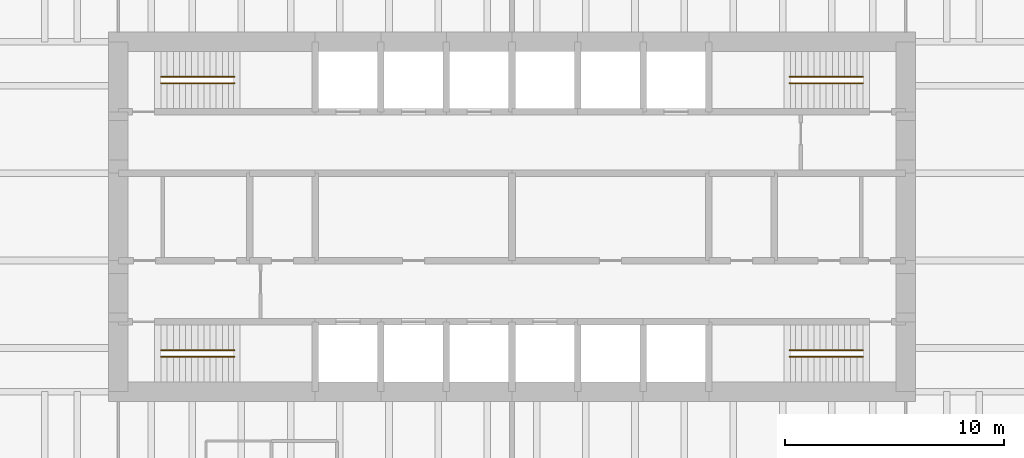
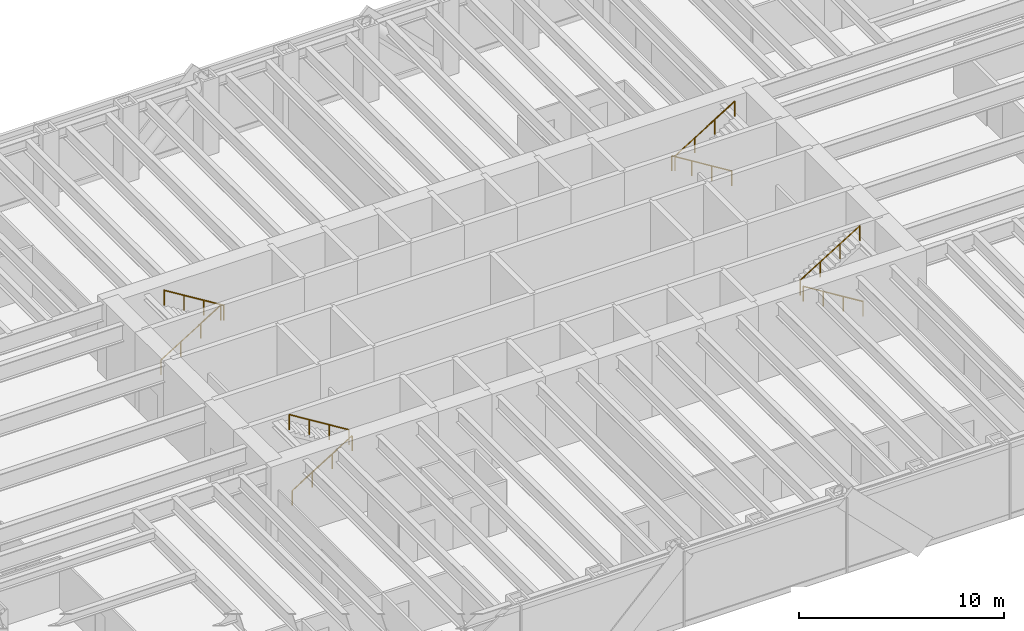
# One storey, part 13 of 13: 8 railings.
"""IFC4 building model written with IfcOpenShell, lengths in metres."""

import ifcopenshell
import ifcopenshell.guid

model = None  # the IFC model being written
_history = None  # IfcOwnerHistory: only IFC2X3 demands one
_inside = {}  # id of a spatial element -> (the spatial element, [elements in it])
_under = {}  # id of a project, library or spatial element -> (it, [spatial elements below it])
_declared = {}  # id of a project -> (the project, [libraries it declares])
_typed = {}  # id of a type object -> (the type object, [elements of that type])
_made_of = {}  # id of a material, layer set ... -> (it, [elements and type objects made of it])


def new_model(schema):
    """Start an empty IFC model of exactly this schema.

    Asked for "IFC4X3", IfcOpenShell would pick the latest addendum, in which some entities
    have other attributes; the version numbers below select the first issue.
    IFC2X3 requires an IfcOwnerHistory on every rooted entity: one is made here for all.
    """
    global model, _history
    if schema == "IFC4X3":
        model = ifcopenshell.file(schema_version=(4, 3, 0, 0))
    else:
        model = ifcopenshell.file(schema=schema)
    _inside.clear()
    _under.clear()
    _declared.clear()
    _typed.clear()
    _made_of.clear()
    _history = None
    if model.schema == "IFC2X3":
        org = make("IfcOrganization", Name="unknown")
        user = make(
            "IfcPersonAndOrganization",
            ThePerson=make("IfcPerson", FamilyName="unknown"),
            TheOrganization=org,
        )
        app = make(
            "IfcApplication",
            ApplicationDeveloper=org,
            Version="unknown",
            ApplicationFullName="unknown",
            ApplicationIdentifier="unknown",
        )
        _history = make(
            "IfcOwnerHistory",
            OwningUser=user,
            OwningApplication=app,
            ChangeAction="ADDED",
            CreationDate=0,
        )
    return model


def make(cls, **values):
    """One entity of the class cls with the attributes given. An attribute that is None is left unset."""
    return model.create_entity(
        cls, **{name: value for name, value in values.items() if value is not None}
    )


def rooted(cls, **values):
    """An entity with a GlobalId (a new one), such as an element, a storey or a relation."""
    return make(cls, GlobalId=ifcopenshell.guid.new(), OwnerHistory=_history, **values)


def si_unit(unit_type, name, prefix=None):
    """IfcSIUnit, for example si_unit("LENGTHUNIT", "METRE", prefix="MILLI")."""
    return make("IfcSIUnit", UnitType=unit_type, Prefix=prefix, Name=name)


def assignment(units):
    """IfcUnitAssignment: the units of a project."""
    return None if units is None else make("IfcUnitAssignment", Units=units)


def point(xyz):
    """IfcCartesianPoint."""
    return None if xyz is None else make("IfcCartesianPoint", Coordinates=xyz)


def direction(xyz):
    """IfcDirection."""
    return None if xyz is None else make("IfcDirection", DirectionRatios=xyz)


def frame(location, z_axis=None, x_axis=None):
    """IfcAxis2Placement3D, a coordinate frame: its origin and axes. An axis left out is left unset."""
    return make(
        "IfcAxis2Placement3D",
        Location=point(location),
        Axis=direction(z_axis),
        RefDirection=direction(x_axis),
    )


def frame_2d(location, x_axis=None):
    """IfcAxis2Placement2D, a coordinate frame in the plane: its origin and x axis."""
    return make(
        "IfcAxis2Placement2D", Location=point(location), RefDirection=direction(x_axis)
    )


def origin():
    """The frame at (0, 0, 0) with its axes left unset."""
    return frame((0.0, 0.0, 0.0))


def origin_2d():
    """The frame at (0, 0) in the plane with its x axis left unset."""
    return frame_2d((0.0, 0.0))


def place(relative_to, where):
    """IfcLocalPlacement: puts the frame where relative to a parent placement (None: the world)."""
    return make(
        "IfcLocalPlacement", PlacementRelTo=relative_to, RelativePlacement=where
    )


def context(
    kind, dimensions, precision=None, world=None, true_north=None, identifier=None
):
    """IfcGeometricRepresentationContext, for example the 3D "Model" context."""
    return make(
        "IfcGeometricRepresentationContext",
        ContextIdentifier=identifier,
        ContextType=kind,
        CoordinateSpaceDimension=dimensions,
        Precision=precision,
        WorldCoordinateSystem=world,
        TrueNorth=true_north,
    )


def subcontext(parent, identifier, kind, view, scale=None):
    """IfcGeometricRepresentationSubContext, for example "Body" below "Model"."""
    return make(
        "IfcGeometricRepresentationSubContext",
        ContextIdentifier=identifier,
        ContextType=kind,
        ParentContext=parent,
        TargetScale=scale,
        TargetView=view,
    )


def project(units=None, contexts=None):
    """IfcProject with its units and contexts."""
    return rooted(
        "IfcProject",
        Name="project",
        RepresentationContexts=contexts,
        UnitsInContext=assignment(units),
    )


def spatial(cls, under=None, at=None, **own):
    """A site, building, storey or space (cls), placed at a placement, below another one or the project."""
    s = rooted(cls, ObjectPlacement=at, **own)
    if under is not None:
        _under.setdefault(under.id(), (under, []))[1].append(s)
    return s


def profile(cls, at=None, kind="AREA", **sizes):
    """A parametric profile (cls). Its sizes go by their IFC names, for example OverallWidth=200.0."""
    return make(cls, ProfileType=kind, Position=at, **sizes)


def circle(**sizes):
    """IfcCircleProfileDef."""
    return profile("IfcCircleProfileDef", **sizes)


def extrude(swept, where, along, depth):
    """IfcExtrudedAreaSolid: the profile swept, set in the frame where, extruded along a direction by depth."""
    return make(
        "IfcExtrudedAreaSolid",
        SweptArea=swept,
        Position=where,
        ExtrudedDirection=direction(along),
        Depth=depth,
    )


def shape(context_of_items, identifier, shape_type, items):
    """IfcShapeRepresentation: the items that make up one representation, for example the "Body"."""
    return make(
        "IfcShapeRepresentation",
        ContextOfItems=context_of_items,
        RepresentationIdentifier=identifier,
        RepresentationType=shape_type,
        Items=items,
    )


def material(Name=None, Category=None):
    """IfcMaterial."""
    return make("IfcMaterial", Name=Name, Category=Category)


def made_of(thing, what):
    """Note that an element or type object is made of a material, layer set ...; save() writes the relation."""
    if what is not None:
        _made_of.setdefault(what.id(), (what, []))[1].append(thing)
    return thing


def type_object(cls, material=None, **own):
    """A type object (cls), such as IfcWallType, which elements share."""
    return made_of(rooted(cls, **own), material)


def element(
    cls,
    number,
    at=None,
    inside=None,
    cuts=None,
    type_object=None,
    material=None,
    context=None,
    identifier="Body",
    shape_type=None,
    held_by="IfcProductDefinitionShape",
    body=None,
    shapes=None,
    **own,
):
    """One element of the class cls, such as IfcWall. Its Tag is "e" and its number.

    at: its placement. inside: the storey or other place that contains it. cuts: it is an
    opening in that element (IfcRelVoidsElement). A single representation is given by context,
    identifier, shape_type and body (its items); several are given by shapes. held_by: the class
    of the entity that holds the representations. save() writes the other relations.
    """
    e = rooted(cls, Tag="e%d" % number, ObjectPlacement=at, **own)
    if body is not None:
        shapes = [shape(context, identifier, shape_type, body)]
    if shapes is not None:
        e.Representation = make(held_by, Representations=shapes)
    if inside is not None:
        _inside.setdefault(inside.id(), (inside, []))[1].append(e)
    if cuts is not None:
        rooted(
            "IfcRelVoidsElement", RelatingBuildingElement=cuts, RelatedOpeningElement=e
        )
    if type_object is not None:
        _typed.setdefault(type_object.id(), (type_object, []))[1].append(e)
    return made_of(e, material)


def aggregate(whole, parts):
    """IfcRelAggregates: a whole, such as a stair, and the parts it consists of."""
    return rooted("IfcRelAggregates", RelatingObject=whole, RelatedObjects=parts)


def save(model, path):
    """Write the relations noted so far, then the file.

    IfcRelAggregates (storeys below a building ...), IfcRelContainedInSpatialStructure (elements
    in a storey), IfcRelDefinesByType, IfcRelAssociatesMaterial and IfcRelDeclares: one each for
    every whole, place, type object, material and project.
    """
    for whole, parts in _under.values():
        aggregate(whole, parts)
    for where, things in _inside.values():
        rooted(
            "IfcRelContainedInSpatialStructure",
            RelatedElements=things,
            RelatingStructure=where,
        )
    for kind, things in _typed.values():
        rooted("IfcRelDefinesByType", RelatedObjects=things, RelatingType=kind)
    for what, things in _made_of.values():
        rooted("IfcRelAssociatesMaterial", RelatedObjects=things, RelatingMaterial=what)
    for by, libraries in _declared.values():
        rooted("IfcRelDeclares", RelatingContext=by, RelatedDefinitions=libraries)
    model.write(path)


model = new_model("IFC4")

# Units and contexts
model_context = context("Model", 3, precision=1e-05, world=origin(), true_north=direction((0.0, 1.0)))
body_context = subcontext(model_context, "Body", "Model", "MODEL_VIEW")
ifc_project = project(units=[si_unit("LENGTHUNIT", "METRE"), si_unit("AREAUNIT", "SQUARE_METRE"), si_unit("VOLUMEUNIT", "CUBIC_METRE"), si_unit("PLANEANGLEUNIT", "RADIAN"), si_unit("MASSUNIT", "GRAM", prefix="KILO")], contexts=[model_context])

# Site, building, storey
site_placement = place(None, origin())
site = spatial("IfcSite", under=ifc_project, at=site_placement, CompositionType="ELEMENT")
building_placement = place(site_placement, origin())
building = spatial("IfcBuilding", under=site, at=building_placement, Name="Rheinbord Bourse Tower", CompositionType="ELEMENT")
storey_placement = place(building_placement, frame((0.0, 0.0, 54.5)))
storey = spatial("IfcBuildingStorey", under=building, at=storey_placement, Name="L11", CompositionType="ELEMENT", Elevation=54.5)

# Railings
ifc_material = material(Name="Steel handrail", Category="steel")
railing_type = type_object("IfcRailingType", Name="HANDRAIL 900", PredefinedType="HANDRAIL", material=ifc_material)
railing_1_placement = place(storey_placement, frame((19.949951171875, 17.60009765625, 0.173095703125)))
element("IfcRailing", 1, at=railing_1_placement, inside=storey, type_object=railing_type, Name="Handrail", PredefinedType="HANDRAIL", context=body_context, shape_type="SweptSolid", body=[
    extrude(circle(Radius=0.02392578125, at=origin_2d()), frame((0.0, 0.0, 0.8759765625), z_axis=(0.850623216509, 0.0, 0.525775754039), x_axis=(0.0, 1.0, 0.0)), (0.0, 0.0, 1.0), 3.9501953125),
    extrude(circle(Radius=0.02099609375, at=origin_2d()), origin(), (0.0, 0.0, 1.0), 0.851806640625),
    extrude(circle(Radius=0.02099609375, at=origin_2d()), frame((1.1201171875, 0.0, 0.6923828125)), (0.0, 0.0, 1.0), 0.851806640625),
    extrude(circle(Radius=0.02099609375, at=origin_2d()), frame((2.239990234375, 0.0, 1.384521484375)), (0.0, 0.0, 1.0), 0.851806640625),
    extrude(circle(Radius=0.02099609375, at=origin_2d()), frame((3.360107421875, 0.0, 2.076904296875)), (0.0, 0.0, 1.0), 0.851806640625),
])
railing_2_placement = place(storey_placement, frame((23.31005859375, 17.89990234375, 2.423095703125)))
element("IfcRailing", 2, at=railing_2_placement, inside=storey, type_object=railing_type, Name="Handrail", PredefinedType="HANDRAIL", context=body_context, shape_type="SweptSolid", body=[
    extrude(circle(Radius=0.02392578125, at=origin_2d()), frame((0.0, 0.0, 0.8759765625), z_axis=(-0.850623216509, 0.0, 0.525775754039), x_axis=(0.0, -1.0, 0.0)), (0.0, 0.0, 1.0), 3.9501953125),
    extrude(circle(Radius=0.02099609375, at=origin_2d()), origin(), (0.0, 0.0, 1.0), 0.851806640625),
    extrude(circle(Radius=0.02099609375, at=origin_2d()), frame((-1.1201171875, 0.0, 0.6923828125)), (0.0, 0.0, 1.0), 0.851806640625),
    extrude(circle(Radius=0.02099609375, at=origin_2d()), frame((-2.239990234375, 0.0, 1.384521484375)), (0.0, 0.0, 1.0), 0.851806640625),
    extrude(circle(Radius=0.02099609375, at=origin_2d()), frame((-3.360107421875, 0.0, 2.076904296875)), (0.0, 0.0, 1.0), 0.851806640625),
])
railing_3_placement = place(storey_placement, frame((19.949951171875, 30.39990234375, 0.173095703125)))
element("IfcRailing", 3, at=railing_3_placement, inside=storey, type_object=railing_type, Name="Handrail", PredefinedType="HANDRAIL", context=body_context, shape_type="SweptSolid", body=[
    extrude(circle(Radius=0.02392578125, at=origin_2d()), frame((0.0, 0.0, 0.8759765625), z_axis=(0.850623216509, 0.0, 0.525775754039), x_axis=(0.0, 1.0, 0.0)), (0.0, 0.0, 1.0), 3.9501953125),
    extrude(circle(Radius=0.02099609375, at=origin_2d()), origin(), (0.0, 0.0, 1.0), 0.851806640625),
    extrude(circle(Radius=0.02099609375, at=origin_2d()), frame((1.1201171875, 0.0, 0.6923828125)), (0.0, 0.0, 1.0), 0.851806640625),
    extrude(circle(Radius=0.02099609375, at=origin_2d()), frame((2.239990234375, 0.0, 1.384521484375)), (0.0, 0.0, 1.0), 0.851806640625),
    extrude(circle(Radius=0.02099609375, at=origin_2d()), frame((3.360107421875, 0.0, 2.076904296875)), (0.0, 0.0, 1.0), 0.851806640625),
])
for number, where, name in (
    (4, (23.31005859375, 30.10009765625, 2.423095703125), "Handrail"),
    (5, (52.050048828125, 17.60009765625, 0.173095703125), "Handrail"),
):
    element("IfcRailing", number, at=place(storey_placement, frame(where)), inside=storey, type_object=railing_type, Name=name, PredefinedType="HANDRAIL", context=body_context, shape_type="SweptSolid", body=[
        extrude(circle(Radius=0.02392578125, at=origin_2d()), frame((0.0, 0.0, 0.8759765625), z_axis=(-0.850623216509, 0.0, 0.525775754039), x_axis=(0.0, -1.0, 0.0)), (0.0, 0.0, 1.0), 3.9501953125),
        extrude(circle(Radius=0.02099609375, at=origin_2d()), origin(), (0.0, 0.0, 1.0), 0.851806640625),
        extrude(circle(Radius=0.02099609375, at=origin_2d()), frame((-1.1201171875, 0.0, 0.6923828125)), (0.0, 0.0, 1.0), 0.851806640625),
        extrude(circle(Radius=0.02099609375, at=origin_2d()), frame((-2.239990234375, 0.0, 1.384521484375)), (0.0, 0.0, 1.0), 0.851806640625),
        extrude(circle(Radius=0.02099609375, at=origin_2d()), frame((-3.360107421875, 0.0, 2.076904296875)), (0.0, 0.0, 1.0), 0.851806640625),
    ])
railing_4_placement = place(storey_placement, frame((48.68994140625, 17.89990234375, 2.423095703125)))
element("IfcRailing", 6, at=railing_4_placement, inside=storey, type_object=railing_type, Name="Handrail", PredefinedType="HANDRAIL", context=body_context, shape_type="SweptSolid", body=[
    extrude(circle(Radius=0.02392578125, at=origin_2d()), frame((0.0, 0.0, 0.8759765625), z_axis=(0.850623216509, 0.0, 0.525775754039), x_axis=(0.0, 1.0, 0.0)), (0.0, 0.0, 1.0), 3.9501953125),
    extrude(circle(Radius=0.02099609375, at=origin_2d()), origin(), (0.0, 0.0, 1.0), 0.851806640625),
    extrude(circle(Radius=0.02099609375, at=origin_2d()), frame((1.1201171875, 0.0, 0.6923828125)), (0.0, 0.0, 1.0), 0.851806640625),
    extrude(circle(Radius=0.02099609375, at=origin_2d()), frame((2.239990234375, 0.0, 1.384521484375)), (0.0, 0.0, 1.0), 0.851806640625),
    extrude(circle(Radius=0.02099609375, at=origin_2d()), frame((3.360107421875, 0.0, 2.076904296875)), (0.0, 0.0, 1.0), 0.851806640625),
])
railing_5_placement = place(storey_placement, frame((52.050048828125, 30.39990234375, 0.173095703125)))
element("IfcRailing", 7, at=railing_5_placement, inside=storey, type_object=railing_type, Name="Handrail", PredefinedType="HANDRAIL", context=body_context, shape_type="SweptSolid", body=[
    extrude(circle(Radius=0.02392578125, at=origin_2d()), frame((0.0, 0.0, 0.8759765625), z_axis=(-0.850623216509, 0.0, 0.525775754039), x_axis=(0.0, -1.0, 0.0)), (0.0, 0.0, 1.0), 3.9501953125),
    extrude(circle(Radius=0.02099609375, at=origin_2d()), origin(), (0.0, 0.0, 1.0), 0.851806640625),
    extrude(circle(Radius=0.02099609375, at=origin_2d()), frame((-1.1201171875, 0.0, 0.6923828125)), (0.0, 0.0, 1.0), 0.851806640625),
    extrude(circle(Radius=0.02099609375, at=origin_2d()), frame((-2.239990234375, 0.0, 1.384521484375)), (0.0, 0.0, 1.0), 0.851806640625),
    extrude(circle(Radius=0.02099609375, at=origin_2d()), frame((-3.360107421875, 0.0, 2.076904296875)), (0.0, 0.0, 1.0), 0.851806640625),
])
railing_6_placement = place(storey_placement, frame((48.68994140625, 30.10009765625, 2.423095703125)))
element("IfcRailing", 8, at=railing_6_placement, inside=storey, type_object=railing_type, Name="Handrail", PredefinedType="HANDRAIL", context=body_context, shape_type="SweptSolid", body=[
    extrude(circle(Radius=0.02392578125, at=origin_2d()), frame((0.0, 0.0, 0.8759765625), z_axis=(0.850623216509, 0.0, 0.525775754039), x_axis=(0.0, 1.0, 0.0)), (0.0, 0.0, 1.0), 3.9501953125),
    extrude(circle(Radius=0.02099609375, at=origin_2d()), origin(), (0.0, 0.0, 1.0), 0.851806640625),
    extrude(circle(Radius=0.02099609375, at=origin_2d()), frame((1.1201171875, 0.0, 0.6923828125)), (0.0, 0.0, 1.0), 0.851806640625),
    extrude(circle(Radius=0.02099609375, at=origin_2d()), frame((2.239990234375, 0.0, 1.384521484375)), (0.0, 0.0, 1.0), 0.851806640625),
    extrude(circle(Radius=0.02099609375, at=origin_2d()), frame((3.360107421875, 0.0, 2.076904296875)), (0.0, 0.0, 1.0), 0.851806640625),
])

save(model, "model.ifc")
